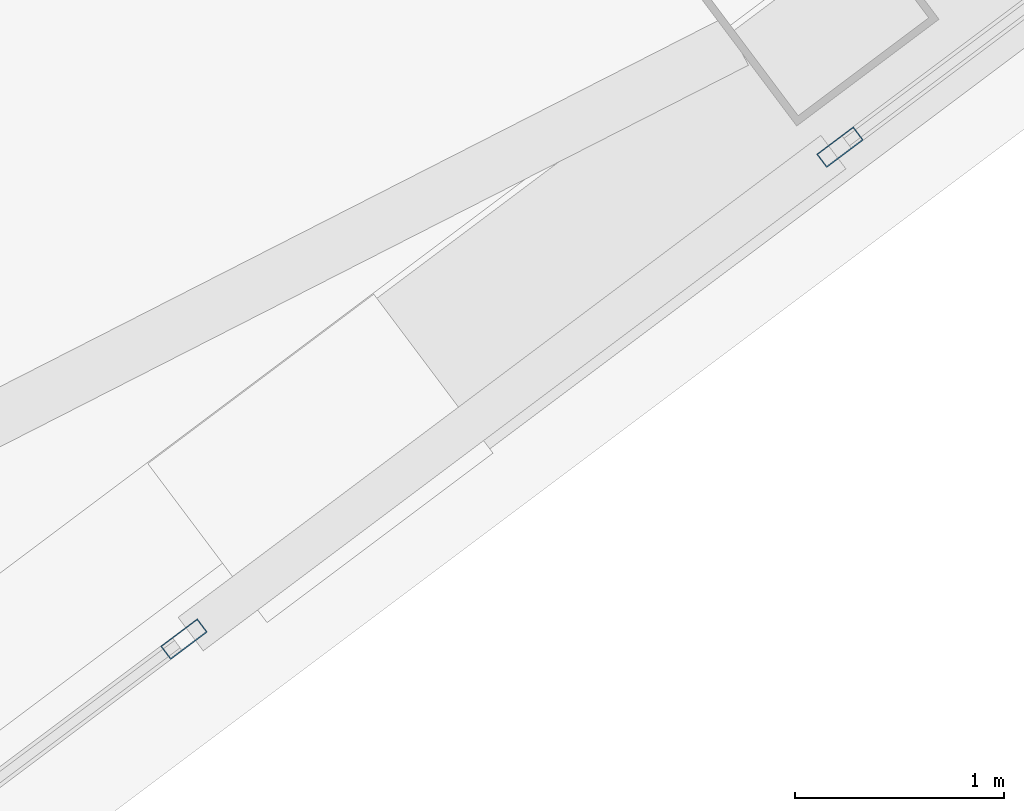
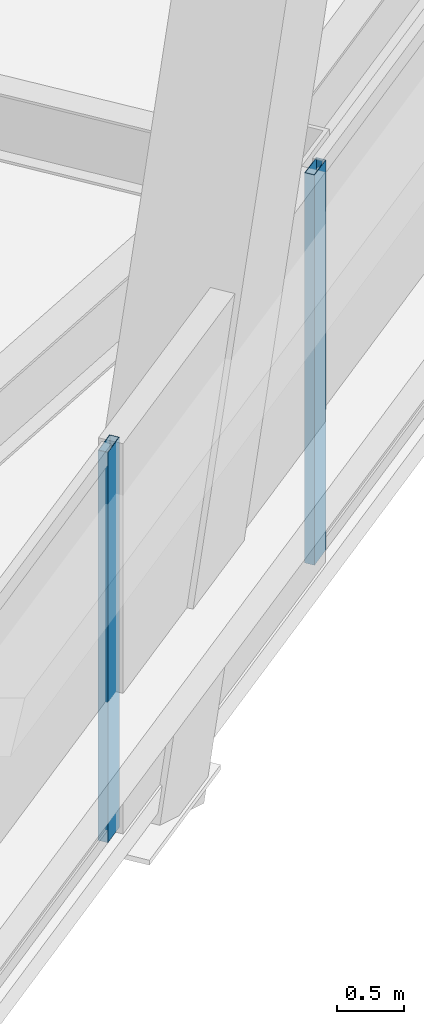
# One storey, part 28 of 54: 2 members, 2 elements without a shape of their own.
"""IFC4 building model written with IfcOpenShell, lengths in metres."""

from ifc_helpers import new_model, si_unit, direction, frame, origin, origin_2d, place, context, subcontext, project, spatial, hollow_rectangle, extrude, material, material_profile, profile_set, type_object, element, aggregate, save


model = new_model("IFC4")

# Units and contexts
model_context = context("Model", 3, precision=1e-05, world=origin(), true_north=direction((0.0, 1.0)))
body_context = subcontext(model_context, "Body", "Model", "MODEL_VIEW")
ifc_project = project(units=[si_unit("LENGTHUNIT", "METRE"), si_unit("AREAUNIT", "SQUARE_METRE"), si_unit("VOLUMEUNIT", "CUBIC_METRE"), si_unit("PLANEANGLEUNIT", "RADIAN"), si_unit("MASSUNIT", "GRAM", prefix="KILO")], contexts=[model_context])

# Site, building, storey
site_placement = place(None, origin())
site = spatial("IfcSite", under=ifc_project, at=site_placement, CompositionType="ELEMENT")
building_placement = place(site_placement, origin())
building = spatial("IfcBuilding", under=site, at=building_placement, Name="Tashvorn Skyway Center", CompositionType="ELEMENT")
storey_placement = place(building_placement, frame((0.0, 0.0, 88.5)))
storey = spatial("IfcBuildingStorey", under=building, at=storey_placement, Name="L23", CompositionType="ELEMENT", Elevation=88.5)

# Curtain wall, member
ifc_material = material(Name="Thermally broken bronze-anodized aluminium 6063-T6", Category="aluminium")
curtain_wall_type = type_object("IfcCurtainWallType", Name="CW-CW-Z2", PredefinedType="NOTDEFINED", material=ifc_material)
curtain_wall_1_placement = place(storey_placement, origin())
curtain_wall_1 = element("IfcCurtainWall", 1, at=curtain_wall_1_placement, inside=storey, type_object=curtain_wall_type, Name="Tower 2 L23 South Unitised Curtain Wall Glazing Group 2", PredefinedType="NOTDEFINED")
ifc_material_profile = material_profile(ifc_material, hollow_rectangle(XDim=0.080078125, YDim=0.219970703125, WallThickness=0.0048828125, at=origin_2d()), Name="ALU-MULL-80x220")
ifc_profile_set = profile_set([ifc_material_profile], Name="Thermally broken bronze-anodized aluminium 6063-T6")
member_type = type_object("IfcMemberType", Name="CWM-CW-Z2", PredefinedType="MULLION", material=ifc_profile_set)
member_1_placement = place(storey_placement, frame((121.35205078125, 12.6640625, 0.0), z_axis=(0.0, 0.0, 1.0), x_axis=(0.600000000002, -0.799999999998, 0.0)))
member_1 = element("IfcMember", 2, at=member_1_placement, type_object=member_type, Name="CW-Z2 mullion 2", PredefinedType="MULLION", context=body_context, shape_type="SweptSolid", body=[
    extrude(hollow_rectangle(XDim=0.080078125, YDim=0.219970703125, WallThickness=0.0048828125, at=origin_2d()), origin(), (0.0, 0.0, 1.0), 3.550048828125),
])
aggregate(curtain_wall_1, [member_1])

curtain_wall_2_placement = place(storey_placement, origin())
curtain_wall_2 = element("IfcCurtainWall", 3, at=curtain_wall_2_placement, inside=storey, type_object=curtain_wall_type, Name="Tower 2 L23 South Unitised Curtain Wall Glazing Group 3", PredefinedType="NOTDEFINED")
member_2_placement = place(storey_placement, frame((118.216064453125, 10.31201171875, 0.0), z_axis=(0.0, 0.0, 1.0), x_axis=(0.600000000002, -0.799999999998, 0.0)))
member_2 = element("IfcMember", 4, at=member_2_placement, type_object=member_type, Name="CW-Z2 mullion 1", PredefinedType="MULLION", context=body_context, shape_type="SweptSolid", body=[
    extrude(hollow_rectangle(XDim=0.080078125, YDim=0.219970703125, WallThickness=0.0048828125, at=origin_2d()), origin(), (0.0, 0.0, 1.0), 3.550048828125),
])
aggregate(curtain_wall_2, [member_2])

save(model, "model.ifc")
